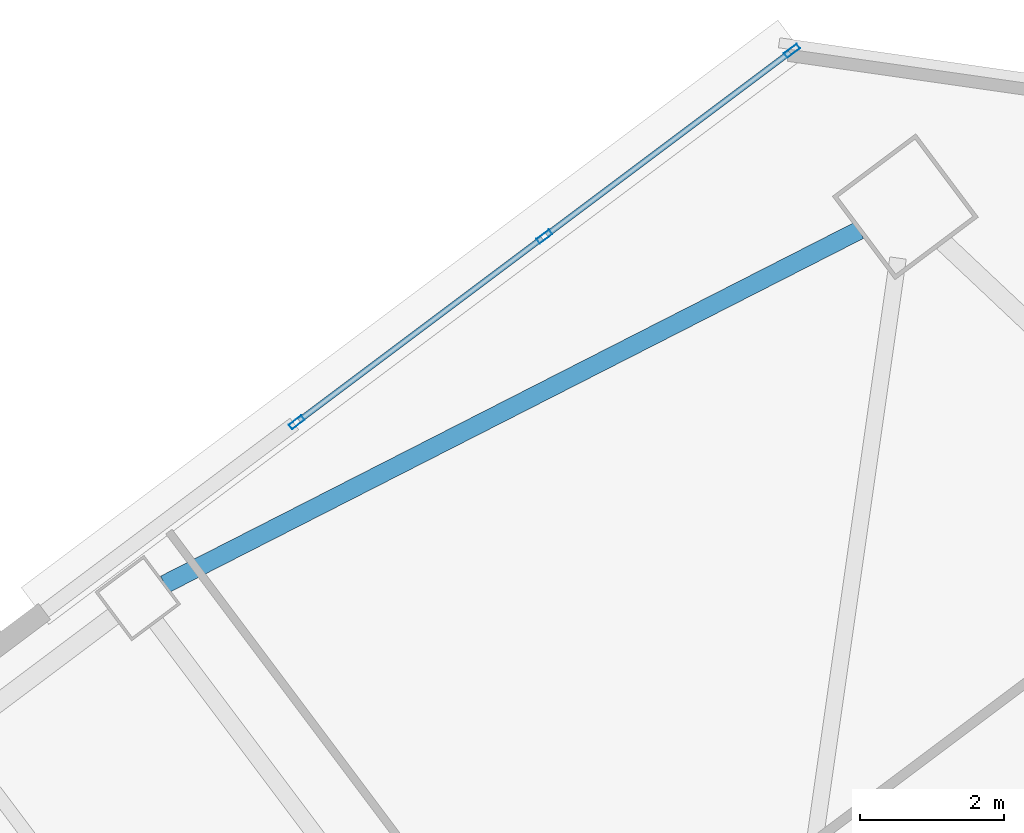
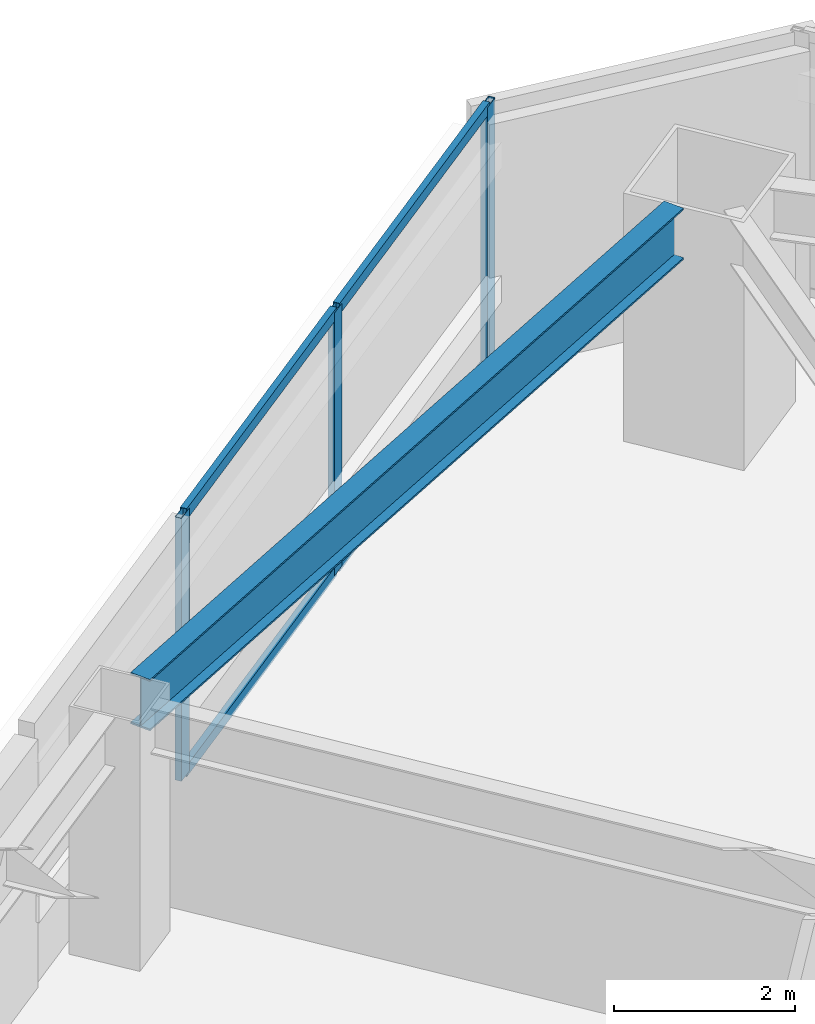
# One storey, part 28 of 44: 7 members, 1 beam, 1 element without a shape of its own.
"""IFC4 building model written with IfcOpenShell, lengths in metres."""

import ifcopenshell
import ifcopenshell.guid

model = None  # the IFC model being written
_history = None  # IfcOwnerHistory: only IFC2X3 demands one
_inside = {}  # id of a spatial element -> (the spatial element, [elements in it])
_under = {}  # id of a project, library or spatial element -> (it, [spatial elements below it])
_declared = {}  # id of a project -> (the project, [libraries it declares])
_typed = {}  # id of a type object -> (the type object, [elements of that type])
_made_of = {}  # id of a material, layer set ... -> (it, [elements and type objects made of it])


def new_model(schema):
    """Start an empty IFC model of exactly this schema.

    Asked for "IFC4X3", IfcOpenShell would pick the latest addendum, in which some entities
    have other attributes; the version numbers below select the first issue.
    IFC2X3 requires an IfcOwnerHistory on every rooted entity: one is made here for all.
    """
    global model, _history
    if schema == "IFC4X3":
        model = ifcopenshell.file(schema_version=(4, 3, 0, 0))
    else:
        model = ifcopenshell.file(schema=schema)
    _inside.clear()
    _under.clear()
    _declared.clear()
    _typed.clear()
    _made_of.clear()
    _history = None
    if model.schema == "IFC2X3":
        org = make("IfcOrganization", Name="unknown")
        user = make(
            "IfcPersonAndOrganization",
            ThePerson=make("IfcPerson", FamilyName="unknown"),
            TheOrganization=org,
        )
        app = make(
            "IfcApplication",
            ApplicationDeveloper=org,
            Version="unknown",
            ApplicationFullName="unknown",
            ApplicationIdentifier="unknown",
        )
        _history = make(
            "IfcOwnerHistory",
            OwningUser=user,
            OwningApplication=app,
            ChangeAction="ADDED",
            CreationDate=0,
        )
    return model


def make(cls, **values):
    """One entity of the class cls with the attributes given. An attribute that is None is left unset."""
    return model.create_entity(
        cls, **{name: value for name, value in values.items() if value is not None}
    )


def rooted(cls, **values):
    """An entity with a GlobalId (a new one), such as an element, a storey or a relation."""
    return make(cls, GlobalId=ifcopenshell.guid.new(), OwnerHistory=_history, **values)


def si_unit(unit_type, name, prefix=None):
    """IfcSIUnit, for example si_unit("LENGTHUNIT", "METRE", prefix="MILLI")."""
    return make("IfcSIUnit", UnitType=unit_type, Prefix=prefix, Name=name)


def assignment(units):
    """IfcUnitAssignment: the units of a project."""
    return None if units is None else make("IfcUnitAssignment", Units=units)


def point(xyz):
    """IfcCartesianPoint."""
    return None if xyz is None else make("IfcCartesianPoint", Coordinates=xyz)


def direction(xyz):
    """IfcDirection."""
    return None if xyz is None else make("IfcDirection", DirectionRatios=xyz)


def frame(location, z_axis=None, x_axis=None):
    """IfcAxis2Placement3D, a coordinate frame: its origin and axes. An axis left out is left unset."""
    return make(
        "IfcAxis2Placement3D",
        Location=point(location),
        Axis=direction(z_axis),
        RefDirection=direction(x_axis),
    )


def frame_2d(location, x_axis=None):
    """IfcAxis2Placement2D, a coordinate frame in the plane: its origin and x axis."""
    return make(
        "IfcAxis2Placement2D", Location=point(location), RefDirection=direction(x_axis)
    )


def origin():
    """The frame at (0, 0, 0) with its axes left unset."""
    return frame((0.0, 0.0, 0.0))


def origin_2d():
    """The frame at (0, 0) in the plane with its x axis left unset."""
    return frame_2d((0.0, 0.0))


def place(relative_to, where):
    """IfcLocalPlacement: puts the frame where relative to a parent placement (None: the world)."""
    return make(
        "IfcLocalPlacement", PlacementRelTo=relative_to, RelativePlacement=where
    )


def context(
    kind, dimensions, precision=None, world=None, true_north=None, identifier=None
):
    """IfcGeometricRepresentationContext, for example the 3D "Model" context."""
    return make(
        "IfcGeometricRepresentationContext",
        ContextIdentifier=identifier,
        ContextType=kind,
        CoordinateSpaceDimension=dimensions,
        Precision=precision,
        WorldCoordinateSystem=world,
        TrueNorth=true_north,
    )


def subcontext(parent, identifier, kind, view, scale=None):
    """IfcGeometricRepresentationSubContext, for example "Body" below "Model"."""
    return make(
        "IfcGeometricRepresentationSubContext",
        ContextIdentifier=identifier,
        ContextType=kind,
        ParentContext=parent,
        TargetScale=scale,
        TargetView=view,
    )


def project(units=None, contexts=None):
    """IfcProject with its units and contexts."""
    return rooted(
        "IfcProject",
        Name="project",
        RepresentationContexts=contexts,
        UnitsInContext=assignment(units),
    )


def spatial(cls, under=None, at=None, **own):
    """A site, building, storey or space (cls), placed at a placement, below another one or the project."""
    s = rooted(cls, ObjectPlacement=at, **own)
    if under is not None:
        _under.setdefault(under.id(), (under, []))[1].append(s)
    return s


def profile(cls, at=None, kind="AREA", **sizes):
    """A parametric profile (cls). Its sizes go by their IFC names, for example OverallWidth=200.0."""
    return make(cls, ProfileType=kind, Position=at, **sizes)


def hollow_rectangle(**sizes):
    """IfcRectangleHollowProfileDef."""
    return profile("IfcRectangleHollowProfileDef", **sizes)


def i_section(**sizes):
    """IfcIShapeProfileDef."""
    return profile("IfcIShapeProfileDef", **sizes)


def extrude(swept, where, along, depth):
    """IfcExtrudedAreaSolid: the profile swept, set in the frame where, extruded along a direction by depth."""
    return make(
        "IfcExtrudedAreaSolid",
        SweptArea=swept,
        Position=where,
        ExtrudedDirection=direction(along),
        Depth=depth,
    )


def shape(context_of_items, identifier, shape_type, items):
    """IfcShapeRepresentation: the items that make up one representation, for example the "Body"."""
    return make(
        "IfcShapeRepresentation",
        ContextOfItems=context_of_items,
        RepresentationIdentifier=identifier,
        RepresentationType=shape_type,
        Items=items,
    )


def material(Name=None, Category=None):
    """IfcMaterial."""
    return make("IfcMaterial", Name=Name, Category=Category)


def material_profile(
    of_material, cross_section, Name=None, Category=None, Priority=None
):
    """IfcMaterialProfile: a cross section and its material."""
    return make(
        "IfcMaterialProfile",
        Name=Name,
        Material=of_material,
        Profile=cross_section,
        Priority=Priority,
        Category=Category,
    )


def profile_set(profiles, Name=None, composite=None):
    """IfcMaterialProfileSet."""
    return make(
        "IfcMaterialProfileSet",
        Name=Name,
        MaterialProfiles=profiles,
        CompositeProfile=composite,
    )


def made_of(thing, what):
    """Note that an element or type object is made of a material, layer set ...; save() writes the relation."""
    if what is not None:
        _made_of.setdefault(what.id(), (what, []))[1].append(thing)
    return thing


def type_object(cls, material=None, **own):
    """A type object (cls), such as IfcWallType, which elements share."""
    return made_of(rooted(cls, **own), material)


def element(
    cls,
    number,
    at=None,
    inside=None,
    cuts=None,
    type_object=None,
    material=None,
    context=None,
    identifier="Body",
    shape_type=None,
    held_by="IfcProductDefinitionShape",
    body=None,
    shapes=None,
    **own,
):
    """One element of the class cls, such as IfcWall. Its Tag is "e" and its number.

    at: its placement. inside: the storey or other place that contains it. cuts: it is an
    opening in that element (IfcRelVoidsElement). A single representation is given by context,
    identifier, shape_type and body (its items); several are given by shapes. held_by: the class
    of the entity that holds the representations. save() writes the other relations.
    """
    e = rooted(cls, Tag="e%d" % number, ObjectPlacement=at, **own)
    if body is not None:
        shapes = [shape(context, identifier, shape_type, body)]
    if shapes is not None:
        e.Representation = make(held_by, Representations=shapes)
    if inside is not None:
        _inside.setdefault(inside.id(), (inside, []))[1].append(e)
    if cuts is not None:
        rooted(
            "IfcRelVoidsElement", RelatingBuildingElement=cuts, RelatedOpeningElement=e
        )
    if type_object is not None:
        _typed.setdefault(type_object.id(), (type_object, []))[1].append(e)
    return made_of(e, material)


def aggregate(whole, parts):
    """IfcRelAggregates: a whole, such as a stair, and the parts it consists of."""
    return rooted("IfcRelAggregates", RelatingObject=whole, RelatedObjects=parts)


def save(model, path):
    """Write the relations noted so far, then the file.

    IfcRelAggregates (storeys below a building ...), IfcRelContainedInSpatialStructure (elements
    in a storey), IfcRelDefinesByType, IfcRelAssociatesMaterial and IfcRelDeclares: one each for
    every whole, place, type object, material and project.
    """
    for whole, parts in _under.values():
        aggregate(whole, parts)
    for where, things in _inside.values():
        rooted(
            "IfcRelContainedInSpatialStructure",
            RelatedElements=things,
            RelatingStructure=where,
        )
    for kind, things in _typed.values():
        rooted("IfcRelDefinesByType", RelatedObjects=things, RelatingType=kind)
    for what, things in _made_of.values():
        rooted("IfcRelAssociatesMaterial", RelatedObjects=things, RelatingMaterial=what)
    for by, libraries in _declared.values():
        rooted("IfcRelDeclares", RelatingContext=by, RelatedDefinitions=libraries)
    model.write(path)


model = new_model("IFC4")

# Units and contexts
model_context = context("Model", 3, precision=1e-05, world=origin(), true_north=direction((0.0, 1.0)))
body_context = subcontext(model_context, "Body", "Model", "MODEL_VIEW")
ifc_project = project(units=[si_unit("LENGTHUNIT", "METRE"), si_unit("AREAUNIT", "SQUARE_METRE"), si_unit("VOLUMEUNIT", "CUBIC_METRE"), si_unit("PLANEANGLEUNIT", "RADIAN"), si_unit("MASSUNIT", "GRAM", prefix="KILO")], contexts=[model_context])

# Site, building, storey
site_placement = place(None, origin())
site = spatial("IfcSite", under=ifc_project, at=site_placement, CompositionType="ELEMENT")
building_placement = place(site_placement, origin())
building = spatial("IfcBuilding", under=site, at=building_placement, Name="Tashvorn Skyway Center", CompositionType="ELEMENT")
storey_placement = place(building_placement, frame((0.0, 0.0, 92.050048828125)))
storey = spatial("IfcBuildingStorey", under=building, at=storey_placement, Name="L24", CompositionType="ELEMENT", Elevation=92.050048828125)

# Beam
ifc_material_1 = material(Name="Steel ASTM A992 Grade 50", Category="steel")
ifc_material_profile_1 = material_profile(ifc_material_1, i_section(OverallWidth=0.256103515625, OverallDepth=0.693115234375, WebThickness=0.014404296875, FlangeThickness=0.023681640625, at=origin_2d()), Name="W27X114")
ifc_profile_set_1 = profile_set([ifc_material_profile_1], Name="Steel ASTM A992 Grade 50")
beam_type = type_object("IfcBeamType", Name="BM-SPANDREL-W27X114", PredefinedType="SPANDREL", material=ifc_profile_set_1)
beam_placement = place(storey_placement, frame((116.798583984375, 55.7529296875, 3.00341796875), z_axis=(-0.890894170442, -0.454210938961, 0.0), x_axis=(0.454210938961, -0.890894170442, 0.0)))
element("IfcBeam", 1, at=beam_placement, inside=storey, type_object=beam_type, Name="Tower 2 L24 Spandrel Beam 07", PredefinedType="SPANDREL", context=body_context, shape_type="SweptSolid", body=[
    extrude(i_section(OverallWidth=0.256103515625, OverallDepth=0.693115234375, WebThickness=0.014404296875, FlangeThickness=0.023681640625, at=origin_2d()), origin(), (0.0, 0.0, 1.0), 10.836669921875),
])

# Curtain wall, members
ifc_material_2 = material(Name="Thermally broken bronze-anodized aluminium 6063-T6", Category="aluminium")
curtain_wall_type = type_object("IfcCurtainWallType", Name="CW-CW-Z2", PredefinedType="NOTDEFINED", material=ifc_material_2)
curtain_wall_placement = place(storey_placement, origin())
curtain_wall = element("IfcCurtainWall", 2, at=curtain_wall_placement, inside=storey, type_object=curtain_wall_type, Name="Tower 2 L24 North Curtain Wall R Glazing Group 1", PredefinedType="NOTDEFINED")
ifc_material_profile_2 = material_profile(ifc_material_2, hollow_rectangle(XDim=0.080078125, YDim=0.219970703125, WallThickness=0.0048828125, at=origin_2d()), Name="ALU-MULL-80x220")
ifc_profile_set_2 = profile_set([ifc_material_profile_2], Name="Thermally broken bronze-anodized aluminium 6063-T6")
member_type_1 = type_object("IfcMemberType", Name="CWM-CW-Z2", PredefinedType="MULLION", material=ifc_profile_set_2)
member_1_placement = place(storey_placement, frame((108.978759765625, 53.083984375, 0.0), z_axis=(0.0, 0.0, 1.0), x_axis=(-0.600001841909, 0.799998618565, 0.0)))
member_1 = element("IfcMember", 3, at=member_1_placement, type_object=member_type_1, Name="CW-Z2 mullion 1", PredefinedType="MULLION", context=body_context, shape_type="SweptSolid", body=[
    extrude(hollow_rectangle(XDim=0.080078125, YDim=0.219970703125, WallThickness=0.0048828125, at=origin_2d()), origin(), (0.0, 0.0, 1.0), 3.550048828125),
])
member_2_placement = place(storey_placement, frame((112.42138671875, 55.666015625, 0.0), z_axis=(0.0, 0.0, 1.0), x_axis=(-0.600001841909, 0.799998618565, 0.0)))
member_2 = element("IfcMember", 4, at=member_2_placement, type_object=member_type_1, Name="CW-Z2 mullion 2", PredefinedType="MULLION", context=body_context, shape_type="SweptSolid", body=[
    extrude(hollow_rectangle(XDim=0.080078125, YDim=0.219970703125, WallThickness=0.0048828125, at=origin_2d()), origin(), (0.0, 0.0, 1.0), 3.550048828125),
])
member_3_placement = place(storey_placement, frame((115.864013671875, 58.248046875, 0.0), z_axis=(0.0, 0.0, 1.0), x_axis=(-0.600001841909, 0.799998618565, 0.0)))
member_3 = element("IfcMember", 5, at=member_3_placement, type_object=member_type_1, Name="CW-Z2 mullion 3", PredefinedType="MULLION", context=body_context, shape_type="SweptSolid", body=[
    extrude(hollow_rectangle(XDim=0.080078125, YDim=0.219970703125, WallThickness=0.0048828125, at=origin_2d()), origin(), (0.0, 0.0, 1.0), 3.550048828125),
])
ifc_material_profile_3 = material_profile(ifc_material_2, hollow_rectangle(XDim=0.080078125, YDim=0.14990234375, WallThickness=0.00439453125, at=origin_2d()), Name="ALU-TRAN-80x150")
ifc_profile_set_3 = profile_set([ifc_material_profile_3], Name="Thermally broken bronze-anodized aluminium 6063-T6")
member_type_2 = type_object("IfcMemberType", Name="CWT-CW-Z2", PredefinedType="USERDEFINED", material=ifc_profile_set_3)
member_4_placement = place(storey_placement, frame((109.0107421875, 53.10791015625, 0.0400390625), z_axis=(0.799979189308, 0.600027746587, 0.0), x_axis=(-0.600027746587, 0.799979189308, 0.0)))
member_4 = element("IfcMember", 6, at=member_4_placement, type_object=member_type_2, Name="CW-Z2 transom 1.1", ObjectType="TRANSOM", PredefinedType="USERDEFINED", context=body_context, shape_type="SweptSolid", body=[
    extrude(hollow_rectangle(XDim=0.080078125, YDim=0.14990234375, WallThickness=0.00439453125, at=origin_2d()), origin(), (0.0, 0.0, 1.0), 4.223388671875),
])
member_5_placement = place(storey_placement, frame((109.0107421875, 53.10791015625, 3.510009765625), z_axis=(0.799979189308, 0.600027746587, 0.0), x_axis=(-0.600027746587, 0.799979189308, 0.0)))
member_5 = element("IfcMember", 7, at=member_5_placement, type_object=member_type_2, Name="CW-Z2 transom 1.2", ObjectType="TRANSOM", PredefinedType="USERDEFINED", context=body_context, shape_type="SweptSolid", body=[
    extrude(hollow_rectangle(XDim=0.080078125, YDim=0.14990234375, WallThickness=0.00439453125, at=origin_2d()), origin(), (0.0, 0.0, 1.0), 4.223388671875),
])
member_6_placement = place(storey_placement, frame((112.453369140625, 55.68994140625, 0.0400390625), z_axis=(0.799979189308, 0.600027746587, 0.0), x_axis=(-0.600027746587, 0.799979189308, 0.0)))
member_6 = element("IfcMember", 8, at=member_6_placement, type_object=member_type_2, Name="CW-Z2 transom 2.1", ObjectType="TRANSOM", PredefinedType="USERDEFINED", context=body_context, shape_type="SweptSolid", body=[
    extrude(hollow_rectangle(XDim=0.080078125, YDim=0.14990234375, WallThickness=0.00439453125, at=origin_2d()), origin(), (0.0, 0.0, 1.0), 4.223388671875),
])
member_7_placement = place(storey_placement, frame((112.453369140625, 55.68994140625, 3.510009765625), z_axis=(0.799979189308, 0.600027746587, 0.0), x_axis=(-0.600027746587, 0.799979189308, 0.0)))
member_7 = element("IfcMember", 9, at=member_7_placement, type_object=member_type_2, Name="CW-Z2 transom 2.2", ObjectType="TRANSOM", PredefinedType="USERDEFINED", context=body_context, shape_type="SweptSolid", body=[
    extrude(hollow_rectangle(XDim=0.080078125, YDim=0.14990234375, WallThickness=0.00439453125, at=origin_2d()), origin(), (0.0, 0.0, 1.0), 4.223388671875),
])
aggregate(curtain_wall, [member_1, member_2, member_3, member_4, member_5, member_6, member_7])

save(model, "model.ifc")
